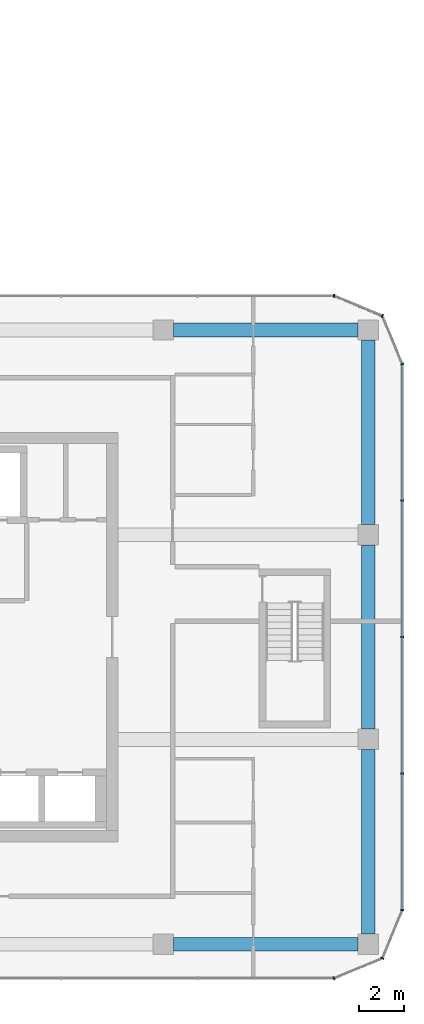
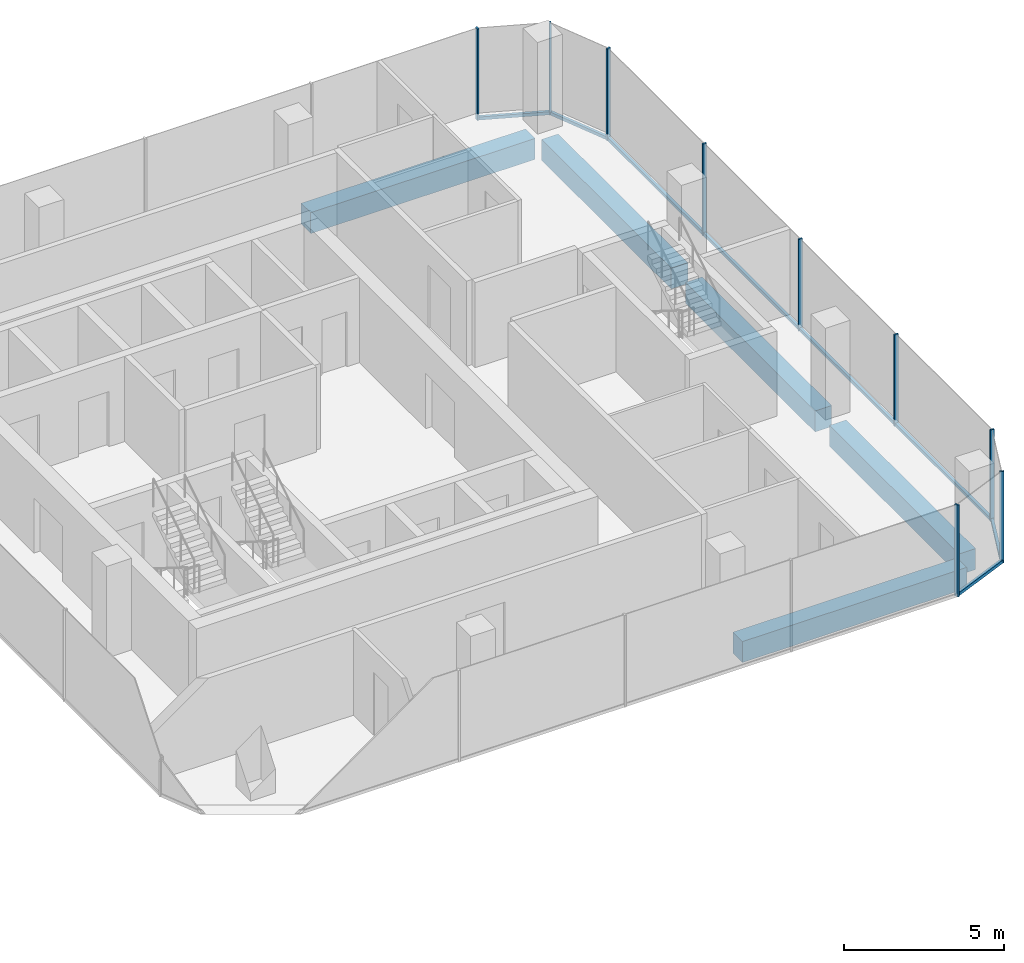
# One storey, part 10 of 22: 14 members, 5 beams, 6 elements without a shape of their own.
"""IFC4 building model written with IfcOpenShell, lengths in metres."""

from ifc_helpers import new_model, si_unit, direction, frame, origin, origin_2d, place, context, subcontext, project, spatial, rectangle, extrude, material, layer, layer_set, material_profile, profile_set, type_object, element, aggregate, save


model = new_model("IFC4")

# Units and contexts
model_context = context("Model", 3, precision=1e-05, world=origin(), true_north=direction((0.0, 1.0)))
body_context = subcontext(model_context, "Body", "Model", "MODEL_VIEW")
ifc_project = project(units=[si_unit("LENGTHUNIT", "METRE"), si_unit("AREAUNIT", "SQUARE_METRE"), si_unit("VOLUMEUNIT", "CUBIC_METRE"), si_unit("PLANEANGLEUNIT", "RADIAN"), si_unit("MASSUNIT", "GRAM", prefix="KILO")], contexts=[model_context])

# Site, building, storey
site_placement = place(None, origin())
site = spatial("IfcSite", under=ifc_project, at=site_placement, CompositionType="ELEMENT")
building_placement = place(site_placement, origin())
building = spatial("IfcBuilding", under=site, at=building_placement, Name="Plateau Cross Towers", CompositionType="ELEMENT")
storey_placement = place(building_placement, frame((0.0, 0.0, 54.800048828125)))
storey = spatial("IfcBuildingStorey", under=building, at=storey_placement, Name="L13", CompositionType="ELEMENT", Elevation=54.800048828125)

# Curtain wall, member
ifc_material_1 = material(Name="Dark low-iron glass", Category="glass")
ifc_layer = layer(ifc_material_1, 0.239990234375)
ifc_layer_set = layer_set([ifc_layer], Name="Dark low-iron glass")
curtain_wall_type = type_object("IfcCurtainWallType", Name="Curtain wall office unitised CW-F", PredefinedType="NOTDEFINED", material=ifc_layer_set)
curtain_wall_1_placement = place(storey_placement, origin())
curtain_wall_1 = element("IfcCurtainWall", 1, at=curtain_wall_1_placement, inside=storey, type_object=curtain_wall_type, Name="ENV/B/L13/B990_-60", PredefinedType="NOTDEFINED")
ifc_material_2 = material(Name="Black anodised aluminium", Category="aluminium")
ifc_material_profile_1 = material_profile(ifc_material_2, rectangle(XDim=0.06005859375, YDim=0.139892578125, at=origin_2d()), Name="MULLION 60x140")
ifc_profile_set_1 = profile_set([ifc_material_profile_1], Name="Black anodised aluminium")
member_type_1 = type_object("IfcMemberType", Name="Mullion 60x140 office unitised", PredefinedType="MULLION", material=ifc_profile_set_1)
member_1_placement = place(storey_placement, frame((99.0, -6.0, -0.25), z_axis=(0.0, 0.0, 1.0), x_axis=(0.923879457699, 0.382683612978, 0.0)))
member_1 = element("IfcMember", 2, at=member_1_placement, type_object=member_type_1, Name="CW-F mullion 1", PredefinedType="MULLION", context=body_context, shape_type="SweptSolid", body=[
    extrude(rectangle(XDim=0.06005859375, YDim=0.139892578125, at=origin_2d()), origin(), (0.0, 0.0, 1.0), 3.5),
])

curtain_wall_2_placement = place(storey_placement, origin())
curtain_wall_2 = element("IfcCurtainWall", 3, at=curtain_wall_2_placement, inside=storey, type_object=curtain_wall_type, Name="ENV/B/L13/B1011_-51", PredefinedType="NOTDEFINED")
member_2_placement = place(storey_placement, frame((101.121337890625, -5.121337890625, -0.25), z_axis=(0.0, 0.0, 1.0), x_axis=(0.382683612978, 0.923879457699, 0.0)))
member_2 = element("IfcMember", 4, at=member_2_placement, type_object=member_type_1, Name="CW-F mullion 1", PredefinedType="MULLION", context=body_context, shape_type="SweptSolid", body=[
    extrude(rectangle(XDim=0.06005859375, YDim=0.139892578125, at=origin_2d()), origin(), (0.0, 0.0, 1.0), 3.5),
])

# Curtain wall, members
curtain_wall_3_placement = place(storey_placement, origin())
curtain_wall_3 = element("IfcCurtainWall", 5, at=curtain_wall_3_placement, inside=storey, type_object=curtain_wall_type, Name="ENV/B/L13/B1020_-30", PredefinedType="NOTDEFINED")
member_3_placement = place(storey_placement, frame((102.0, -3.0, -0.25), z_axis=(0.0, 0.0, 1.0), x_axis=(0.0, 1.0, 0.0)))
member_3 = element("IfcMember", 6, at=member_3_placement, type_object=member_type_1, Name="CW-F mullion 1", PredefinedType="MULLION", context=body_context, shape_type="SweptSolid", body=[
    extrude(rectangle(XDim=0.06005859375, YDim=0.139892578125, at=origin_2d()), origin(), (0.0, 0.0, 1.0), 3.5),
])
member_4_placement = place(storey_placement, frame((102.0, 3.0, -0.25), z_axis=(0.0, 0.0, 1.0), x_axis=(0.0, 1.0, 0.0)))
member_4 = element("IfcMember", 7, at=member_4_placement, type_object=member_type_1, Name="CW-F mullion 2", PredefinedType="MULLION", context=body_context, shape_type="SweptSolid", body=[
    extrude(rectangle(XDim=0.06005859375, YDim=0.139892578125, at=origin_2d()), origin(), (0.0, 0.0, 1.0), 3.5),
])
member_5_placement = place(storey_placement, frame((102.0, 9.0, -0.25), z_axis=(0.0, 0.0, 1.0), x_axis=(0.0, 1.0, 0.0)))
member_5 = element("IfcMember", 8, at=member_5_placement, type_object=member_type_1, Name="CW-F mullion 3", PredefinedType="MULLION", context=body_context, shape_type="SweptSolid", body=[
    extrude(rectangle(XDim=0.06005859375, YDim=0.139892578125, at=origin_2d()), origin(), (0.0, 0.0, 1.0), 3.5),
])
member_6_placement = place(storey_placement, frame((102.0, 15.0, -0.25), z_axis=(0.0, 0.0, 1.0), x_axis=(0.0, 1.0, 0.0)))
member_6 = element("IfcMember", 9, at=member_6_placement, type_object=member_type_1, Name="CW-F mullion 4", PredefinedType="MULLION", context=body_context, shape_type="SweptSolid", body=[
    extrude(rectangle(XDim=0.06005859375, YDim=0.139892578125, at=origin_2d()), origin(), (0.0, 0.0, 1.0), 3.5),
])

# Curtain wall, member
curtain_wall_4_placement = place(storey_placement, origin())
curtain_wall_4 = element("IfcCurtainWall", 10, at=curtain_wall_4_placement, inside=storey, type_object=curtain_wall_type, Name="ENV/B/L13/B1020_210", PredefinedType="NOTDEFINED")
member_7_placement = place(storey_placement, frame((102.0, 21.0, -0.25), z_axis=(0.0, 0.0, 1.0), x_axis=(-0.382683612978, 0.923879457699, 0.0)))
member_7 = element("IfcMember", 11, at=member_7_placement, type_object=member_type_1, Name="CW-F mullion 1", PredefinedType="MULLION", context=body_context, shape_type="SweptSolid", body=[
    extrude(rectangle(XDim=0.06005859375, YDim=0.139892578125, at=origin_2d()), origin(), (0.0, 0.0, 1.0), 3.5),
])

curtain_wall_5_placement = place(storey_placement, origin())
curtain_wall_5 = element("IfcCurtainWall", 12, at=curtain_wall_5_placement, inside=storey, type_object=curtain_wall_type, Name="ENV/B/L13/B1011_231", PredefinedType="NOTDEFINED")
member_8_placement = place(storey_placement, frame((101.121337890625, 23.121337890625, -0.25), z_axis=(0.0, 0.0, 1.0), x_axis=(-0.923879457699, 0.382683612978, 0.0)))
member_8 = element("IfcMember", 13, at=member_8_placement, type_object=member_type_1, Name="CW-F mullion 1", PredefinedType="MULLION", context=body_context, shape_type="SweptSolid", body=[
    extrude(rectangle(XDim=0.06005859375, YDim=0.139892578125, at=origin_2d()), origin(), (0.0, 0.0, 1.0), 3.5),
])

curtain_wall_6_placement = place(storey_placement, origin())
curtain_wall_6 = element("IfcCurtainWall", 14, at=curtain_wall_6_placement, inside=storey, type_object=curtain_wall_type, Name="ENV/B/L13/B990_240", PredefinedType="NOTDEFINED")
member_9_placement = place(storey_placement, frame((99.0, 24.0, -0.25), z_axis=(0.0, 0.0, 1.0), x_axis=(-1.0, 0.0, 0.0)))
member_9 = element("IfcMember", 15, at=member_9_placement, type_object=member_type_1, Name="CW-F mullion 1", PredefinedType="MULLION", context=body_context, shape_type="SweptSolid", body=[
    extrude(rectangle(XDim=0.06005859375, YDim=0.139892578125, at=origin_2d()), origin(), (0.0, 0.0, 1.0), 3.5),
])
aggregate(curtain_wall_6, [member_9])

# Beams
ifc_material_3 = material(Name="Concrete C60/75", Category="concrete")
ifc_material_profile_2 = material_profile(ifc_material_3, rectangle(XDim=0.60009765625, YDim=0.800048828125, at=origin_2d()), Name="RC 600x800")
ifc_profile_set_2 = profile_set([ifc_material_profile_2], Name="Concrete C60/75")
beam_type = type_object("IfcBeamType", Name="Ring beam RC 600x800", PredefinedType="BEAM", material=ifc_profile_set_2)
for number, where, z_axis, x_axis, name in (
    (16, (91.949951171875, -4.5, -0.650146484375), (1.0, 0.0, 0.0), (0.0, 1.0, 0.0), "B-RB02@L13"),
    (17, (100.5, -4.050048828125, -0.650146484375), (0.0, 1.0, 0.0), (-1.0, 0.0, 0.0), "B-RB03@L13"),
    (18, (100.5, 4.949951171875, -0.650146484375), (0.0, 1.0, 0.0), (-1.0, 0.0, 0.0), "B-RB04@L13"),
    (19, (100.5, 13.949951171875, -0.650146484375), (0.0, 1.0, 0.0), (-1.0, 0.0, 0.0), "B-RB05@L13"),
    (20, (100.050048828125, 22.5, -0.650146484375), (-1.0, 0.0, 0.0), (0.0, -1.0, 0.0), "B-RB06@L13"),
):
    element("IfcBeam", number, at=place(storey_placement, frame(where, z_axis=z_axis, x_axis=x_axis)), inside=storey, type_object=beam_type, Name=name, PredefinedType="BEAM", context=body_context, shape_type="SweptSolid", body=[
        extrude(rectangle(XDim=0.60009765625, YDim=0.800048828125, at=origin_2d()), origin(), (0.0, 0.0, 1.0), 8.10009765625),
    ])

# Member
ifc_material_profile_3 = material_profile(ifc_material_2, rectangle(XDim=0.10009765625, YDim=0.1201171875, at=origin_2d()), Name="TRANSOM 100x120")
ifc_profile_set_3 = profile_set([ifc_material_profile_3], Name="Black anodised aluminium")
member_type_2 = type_object("IfcMemberType", Name="Transom 100x120 office unitised", PredefinedType="USERDEFINED", material=ifc_profile_set_3)
member_10_placement = place(storey_placement, frame((99.0, -6.0, -0.18994140625), z_axis=(0.923883353507, 0.382674207535, 0.0), x_axis=(-0.382674207535, 0.923883353507, 0.0)))
member_10 = element("IfcMember", 21, at=member_10_placement, type_object=member_type_2, Name="CW-F transom", ObjectType="TRANSOM", PredefinedType="USERDEFINED", context=body_context, shape_type="SweptSolid", body=[
    extrude(rectangle(XDim=0.10009765625, YDim=0.1201171875, at=origin_2d()), origin(), (0.0, 0.0, 1.0), 2.296142578125),
])

aggregate(curtain_wall_1, [member_1, member_10])

member_11_placement = place(storey_placement, frame((101.121337890625, -5.121337890625, -0.18994140625), z_axis=(0.382674207535, 0.923883353507, 0.0), x_axis=(-0.923883353507, 0.382674207535, 0.0)))
member_11 = element("IfcMember", 22, at=member_11_placement, type_object=member_type_2, Name="CW-F transom", ObjectType="TRANSOM", PredefinedType="USERDEFINED", context=body_context, shape_type="SweptSolid", body=[
    extrude(rectangle(XDim=0.10009765625, YDim=0.1201171875, at=origin_2d()), origin(), (0.0, 0.0, 1.0), 2.296142578125),
])

aggregate(curtain_wall_2, [member_2, member_11])

member_12_placement = place(storey_placement, frame((102.0, -3.0, -0.18994140625), z_axis=(0.0, 1.0, 0.0), x_axis=(-1.0, 0.0, 0.0)))
member_12 = element("IfcMember", 23, at=member_12_placement, type_object=member_type_2, Name="CW-F transom", ObjectType="TRANSOM", PredefinedType="USERDEFINED", context=body_context, shape_type="SweptSolid", body=[
    extrude(rectangle(XDim=0.10009765625, YDim=0.1201171875, at=origin_2d()), origin(), (0.0, 0.0, 1.0), 24.0),
])

aggregate(curtain_wall_3, [member_3, member_4, member_5, member_6, member_12])

member_13_placement = place(storey_placement, frame((102.0, 21.0, -0.18994140625), z_axis=(-0.382674207535, 0.923883353507, 0.0), x_axis=(-0.923883353507, -0.382674207535, 0.0)))
member_13 = element("IfcMember", 24, at=member_13_placement, type_object=member_type_2, Name="CW-F transom", ObjectType="TRANSOM", PredefinedType="USERDEFINED", context=body_context, shape_type="SweptSolid", body=[
    extrude(rectangle(XDim=0.10009765625, YDim=0.1201171875, at=origin_2d()), origin(), (0.0, 0.0, 1.0), 2.296142578125),
])

aggregate(curtain_wall_4, [member_7, member_13])

member_14_placement = place(storey_placement, frame((101.121337890625, 23.121337890625, -0.18994140625), z_axis=(-0.923883353507, 0.382674207535, 0.0), x_axis=(-0.382674207535, -0.923883353507, 0.0)))
member_14 = element("IfcMember", 25, at=member_14_placement, type_object=member_type_2, Name="CW-F transom", ObjectType="TRANSOM", PredefinedType="USERDEFINED", context=body_context, shape_type="SweptSolid", body=[
    extrude(rectangle(XDim=0.10009765625, YDim=0.1201171875, at=origin_2d()), origin(), (0.0, 0.0, 1.0), 2.296142578125),
])

aggregate(curtain_wall_5, [member_8, member_14])

save(model, "model.ifc")
